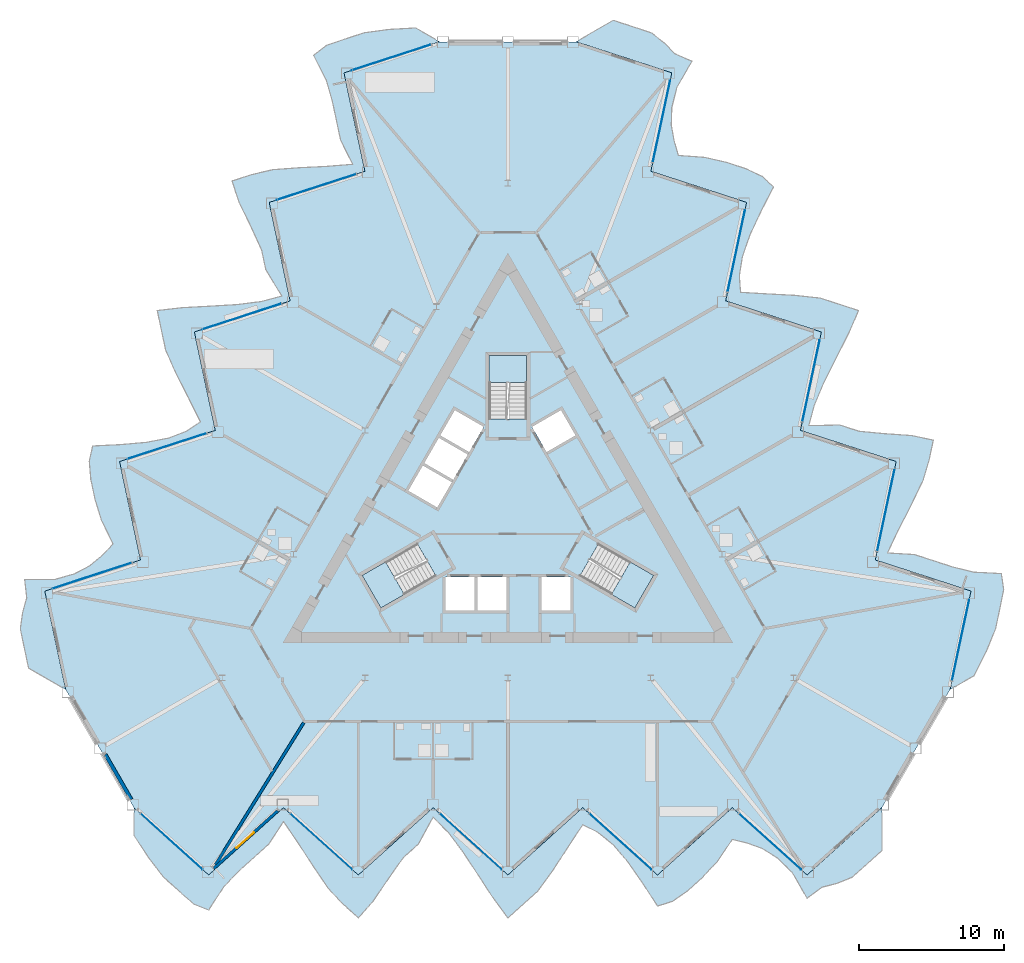
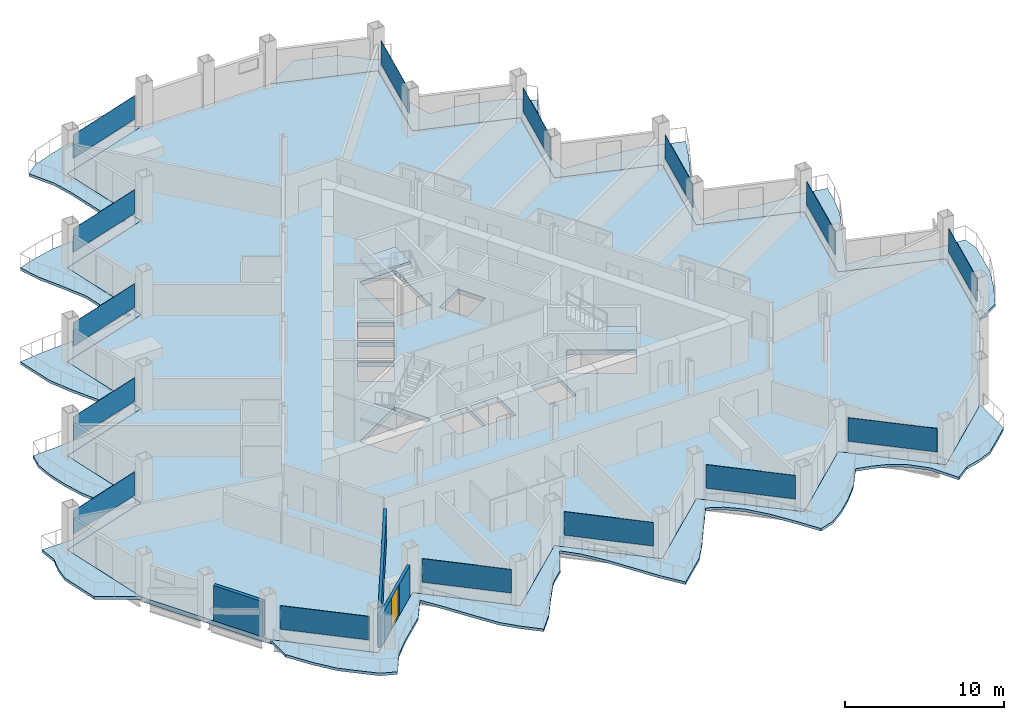
# One storey, part 10 of 24: 15 plates, 7 slabs, 3 walls, 1 door, 1 opening, 18 elements without a shape of their own.
"""IFC4 building model written with IfcOpenShell, lengths in metres."""

from ifc_helpers import new_model, si_unit, direction, frame, frame_2d, origin, origin_2d, place, context, subcontext, project, spatial, polyline, rectangle, outline, extrude, material, layer, layer_set, type_object, element, fill, aggregate, save


model = new_model("IFC4")

# Units and contexts
model_context = context("Model", 3, precision=1e-05, world=origin(), true_north=direction((0.0, 1.0)))
body_context = subcontext(model_context, "Body", "Model", "MODEL_VIEW")
ifc_project = project(units=[si_unit("LENGTHUNIT", "METRE"), si_unit("AREAUNIT", "SQUARE_METRE"), si_unit("VOLUMEUNIT", "CUBIC_METRE"), si_unit("PLANEANGLEUNIT", "RADIAN"), si_unit("MASSUNIT", "GRAM", prefix="KILO")], contexts=[model_context])

# Site, building, storey
site_placement = place(None, origin())
site = spatial("IfcSite", under=ifc_project, at=site_placement, CompositionType="ELEMENT")
building_placement = place(site_placement, origin())
building = spatial("IfcBuilding", under=site, at=building_placement, Name="Cormorant Prow Tower", CompositionType="ELEMENT")
storey_placement = place(building_placement, frame((0.0, 0.0, 201.60009765625)))
storey = spatial("IfcBuildingStorey", under=building, at=storey_placement, Name="L44", CompositionType="ELEMENT", Elevation=201.60009765625)

# Slabs
ifc_material_1 = material(Name="Concrete C40/50", Category="concrete")
ifc_layer_1 = layer(ifc_material_1, 0.199951171875)
ifc_layer_set_1 = layer_set([ifc_layer_1], Name="Concrete C40/50")
slab_type_1 = type_object("IfcSlabType", Name="Balcony slab 200", PredefinedType="FLOOR", material=ifc_layer_set_1)
slab_1_placement = place(storey_placement, frame((0.0, 0.0, -0.2001953125)))
element("IfcSlab", 1, at=slab_1_placement, inside=storey, type_object=slab_type_1, Name="Balcony slab S L44", PredefinedType="FLOOR", context=body_context, shape_type="SweptSolid", body=[
    extrude(outline(polyline([(-25.740234375, -20.280029296875), (-25.740234375, -22.179931640625), (-24.71044921875, -23.754150390625), (-23.680908203125, -25.084228515625), (-22.6513671875, -26.01123046875), (-21.621826171875, -26.916015625), (-20.592041015625, -27.326416015625), (-19.5625, -25.735107421875), (-18.532958984375, -24.6611328125), (-17.50341796875, -23.734130859375), (-16.4736328125, -22.80712890625), (-15.444091796875, -21.2470703125), (-14.41455078125, -22.73974609375), (-13.384765625, -24.338134765625), (-12.355224609375, -25.848876953125), (-11.32568359375, -26.938232421875), (-10.296142578125, -27.865234375), (-9.266357421875, -26.712158203125), (-8.23681640625, -25.179443359375), (-7.207275390625, -23.734130859375), (-6.177734375, -22.80712890625), (-5.14794921875, -20.938232421875), (-4.118408203125, -21.970947265625), (-3.0888671875, -23.331787109375), (-2.059326171875, -24.8955078125), (-1.029541015625, -26.47802734375), (0.0, -27.865234375), (1.029541015625, -26.938232421875), (2.059326171875, -26.01123046875), (3.0888671875, -24.604736328125), (4.118408203125, -23.01953125), (5.14794921875, -21.459716796875), (6.177734375, -21.9619140625), (7.207275390625, -22.794921875), (8.23681640625, -23.98583984375), (9.266357421875, -25.45849609375), (10.296142578125, -27.05517578125), (11.32568359375, -26.728515625), (12.355224609375, -26.01123046875), (13.384765625, -25.084228515625), (14.41455078125, -23.979248046875), (15.444091796875, -22.462890625), (16.4736328125, -22.71875), (17.50341796875, -23.0869140625), (18.532958984375, -23.728515625), (19.5625, -24.72607421875), (20.592041015625, -26.515380859375), (21.621826171875, -25.7568359375), (22.6513671875, -25.4921875), (23.680908203125, -25.07421875), (24.71044921875, -24.156982421875), (25.740234375, -23.22998046875), (25.740234375, -20.280029296875), (24.71044921875, -21.20703125), (23.680908203125, -22.13427734375), (22.6513671875, -23.061279296875), (21.621826171875, -23.98828125), (20.592041015625, -24.915283203125), (19.5625, -23.98828125), (18.532958984375, -23.061279296875), (17.50341796875, -22.13427734375), (16.4736328125, -21.20703125), (15.444091796875, -20.280029296875), (14.41455078125, -21.20703125), (13.384765625, -22.13427734375), (12.355224609375, -23.061279296875), (11.32568359375, -23.98828125), (10.296142578125, -24.915283203125), (9.266357421875, -23.98828125), (8.23681640625, -23.061279296875), (7.207275390625, -22.13427734375), (6.177734375, -21.20703125), (5.14794921875, -20.280029296875), (4.118408203125, -21.20703125), (3.0888671875, -22.13427734375), (2.059326171875, -23.061279296875), (1.029541015625, -23.98828125), (0.0, -24.915283203125), (-1.029541015625, -23.98828125), (-2.059326171875, -23.061279296875), (-3.0888671875, -22.13427734375), (-4.118408203125, -21.20703125), (-5.14794921875, -20.280029296875), (-6.177734375, -21.20703125), (-7.207275390625, -22.13427734375), (-8.23681640625, -23.061279296875), (-9.266357421875, -23.98828125), (-10.296142578125, -24.915283203125), (-11.32568359375, -23.98828125), (-12.355224609375, -23.061279296875), (-13.384765625, -22.13427734375), (-14.41455078125, -21.20703125), (-15.444091796875, -20.280029296875), (-16.4736328125, -21.20703125), (-17.50341796875, -22.13427734375), (-18.532958984375, -23.061279296875), (-19.5625, -23.98828125), (-20.592041015625, -24.915283203125), (-21.621826171875, -23.98828125), (-22.6513671875, -23.061279296875), (-23.680908203125, -22.13427734375), (-24.71044921875, -21.20703125), (-25.740234375, -20.280029296875)])), origin(), (0.0, 0.0, 1.0), 0.2001953125),
])
slab_2_placement = place(storey_placement, frame((0.0, 0.0, -0.2001953125)))
element("IfcSlab", 2, at=slab_2_placement, inside=storey, type_object=slab_type_1, Name="Balcony slab ENE L44", PredefinedType="FLOOR", context=body_context, shape_type="SweptSolid", body=[
    extrude(outline(polyline([(30.43310546875, -12.151611328125), (32.07861328125, -11.20166015625), (32.927001953125, -9.52294921875), (33.56396484375, -7.96630859375), (33.85205078125, -6.611083984375), (34.120849609375, -5.266845703125), (33.96142578125, -4.170166015625), (32.068603515625, -4.073974609375), (30.623779296875, -3.71923828125), (29.30615234375, -3.291259765625), (27.98828125, -2.863037109375), (26.12255859375, -2.75146484375), (26.900390625, -1.113525390625), (27.77001953125, 0.577392578125), (28.5634765625, 2.224609375), (28.9921875, 3.660888671875), (29.280029296875, 5.01611328125), (27.7666015625, 5.3310546875), (25.924560546875, 5.45654296875), (24.157958984375, 5.62548828125), (22.84033203125, 6.053466796875), (20.70703125, 6.0107421875), (21.08642578125, 7.418701171875), (21.750244140625, 8.990966796875), (22.589599609375, 10.664306640625), (23.445556640625, 12.347412109375), (24.132080078125, 13.9326171875), (22.814453125, 14.36083984375), (21.496826171875, 14.788818359375), (19.763916015625, 14.977294921875), (17.876220703125, 15.076416015625), (16.010498046875, 15.188232421875), (15.9306640625, 16.3310546875), (16.137451171875, 17.63916015625), (16.654052734375, 19.126220703125), (17.414306640625, 20.754150390625), (18.282470703125, 22.444091796875), (17.484619140625, 23.172607421875), (16.3486328125, 23.70556640625), (15.031005859375, 24.1337890625), (13.5595703125, 24.472900390625), (11.7314453125, 24.6064453125), (11.438232421875, 25.6259765625), (11.2421875, 26.70166015625), (11.283203125, 27.914306640625), (11.63232421875, 29.3046875), (12.6669921875, 31.091064453125), (11.4951171875, 31.603271484375), (10.751220703125, 32.36279296875), (9.87451171875, 33.04541015625), (8.5654296875, 33.478515625), (7.247802734375, 33.90673828125), (4.69287109375, 32.431640625), (6.010498046875, 32.00341796875), (7.328369140625, 31.575439453125), (8.64599609375, 31.147216796875), (9.963623046875, 30.718994140625), (11.28125, 30.291015625), (10.9931640625, 28.935791015625), (10.705078125, 27.58056640625), (10.4169921875, 26.225341796875), (10.129150390625, 24.8701171875), (9.841064453125, 23.514892578125), (11.15869140625, 23.0869140625), (12.476318359375, 22.65869140625), (13.7939453125, 22.23046875), (15.111572265625, 21.802490234375), (16.42919921875, 21.374267578125), (16.141357421875, 20.01904296875), (15.853271484375, 18.663818359375), (15.565185546875, 17.308837890625), (15.277099609375, 15.95361328125), (14.989013671875, 14.598388671875), (16.306640625, 14.170166015625), (17.624267578125, 13.7421875), (18.94189453125, 13.31396484375), (20.259765625, 12.8857421875), (21.577392578125, 12.457763671875), (21.289306640625, 11.1025390625), (21.001220703125, 9.747314453125), (20.713134765625, 8.39208984375), (20.425048828125, 7.036865234375), (20.136962890625, 5.681640625), (21.45458984375, 5.253662109375), (22.7724609375, 4.825439453125), (24.090087890625, 4.397216796875), (25.40771484375, 3.96923828125), (26.725341796875, 3.541015625), (26.437255859375, 2.185791015625), (26.149169921875, 0.83056640625), (25.861083984375, -0.524658203125), (25.5732421875, -1.879638671875), (25.28515625, -3.23486328125), (26.602783203125, -3.6630859375), (27.92041015625, -4.09130859375), (29.238037109375, -4.519287109375), (30.5556640625, -4.947509765625), (31.873291015625, -5.375732421875), (31.585205078125, -6.730712890625), (31.29736328125, -8.0859375), (31.00927734375, -9.441162109375), (30.72119140625, -10.79638671875), (30.43310546875, -12.151611328125)])), origin(), (0.0, 0.0, 1.0), 0.2001953125),
])
slab_3_placement = place(storey_placement, frame((0.0, 0.0, -0.2001953125)))
element("IfcSlab", 3, at=slab_3_placement, inside=storey, type_object=slab_type_1, Name="Balcony slab WNW L44", PredefinedType="FLOOR", context=body_context, shape_type="SweptSolid", body=[
    extrude(outline(polyline([(-4.69287109375, 32.431640625), (-6.33837890625, 33.381591796875), (-8.21630859375, 33.277099609375), (-9.883056640625, 33.05029296875), (-11.20068359375, 32.622314453125), (-12.4990234375, 32.18310546875), (-13.369384765625, 31.49658203125), (-12.506103515625, 29.80908203125), (-12.0908203125, 28.380615234375), (-11.802734375, 27.025390625), (-11.5146484375, 25.670166015625), (-10.678466796875, 23.99853515625), (-12.48583984375, 23.85302734375), (-14.385009765625, 23.7607421875), (-16.208251953125, 23.62451171875), (-17.66650390625, 23.27734375), (-18.984130859375, 22.849365234375), (-18.500244140625, 21.381103515625), (-17.687744140625, 19.72314453125), (-16.95068359375, 18.108642578125), (-16.66259765625, 16.75341796875), (-15.55908203125, 14.927490234375), (-16.968017578125, 14.552001953125), (-18.661376953125, 14.3408203125), (-20.530517578125, 14.23095703125), (-22.416015625, 14.130615234375), (-24.132080078125, 13.9326171875), (-23.843994140625, 12.577392578125), (-23.555908203125, 11.22216796875), (-22.8525390625, 9.627197265625), (-21.99462890625, 7.943115234375), (-21.15869140625, 6.271484375), (-22.1083984375, 5.631103515625), (-23.3447265625, 5.15576171875), (-24.890869140625, 4.859619140625), (-26.680908203125, 4.7041015625), (-28.578369140625, 4.61083984375), (-28.810302734375, 3.555908203125), (-28.7041015625, 2.3056640625), (-28.416015625, 0.950439453125), (-27.973876953125, -0.49365234375), (-27.175537109375, -2.1435546875), (-27.911865234375, -2.9072265625), (-28.74560546875, -3.61474609375), (-29.81591796875, -4.185791015625), (-31.19482421875, -4.57861328125), (-33.259033203125, -4.57568359375), (-33.116943359375, -5.846435546875), (-33.402587890625, -6.87060546875), (-33.555419921875, -7.97119140625), (-33.27587890625, -9.3212890625), (-32.98779296875, -10.676513671875), (-30.43310546875, -12.151611328125), (-30.72119140625, -10.79638671875), (-31.00927734375, -9.441162109375), (-31.29736328125, -8.0859375), (-31.585205078125, -6.730712890625), (-31.873291015625, -5.375732421875), (-30.5556640625, -4.947509765625), (-29.238037109375, -4.519287109375), (-27.92041015625, -4.09130859375), (-26.602783203125, -3.6630859375), (-25.28515625, -3.23486328125), (-25.5732421875, -1.879638671875), (-25.861083984375, -0.524658203125), (-26.149169921875, 0.83056640625), (-26.437255859375, 2.185791015625), (-26.725341796875, 3.541015625), (-25.40771484375, 3.96923828125), (-24.090087890625, 4.397216796875), (-22.7724609375, 4.825439453125), (-21.45458984375, 5.253662109375), (-20.136962890625, 5.681640625), (-20.425048828125, 7.036865234375), (-20.713134765625, 8.39208984375), (-21.001220703125, 9.747314453125), (-21.289306640625, 11.1025390625), (-21.577392578125, 12.457763671875), (-20.259765625, 12.8857421875), (-18.94189453125, 13.31396484375), (-17.624267578125, 13.7421875), (-16.306640625, 14.170166015625), (-14.989013671875, 14.598388671875), (-15.277099609375, 15.95361328125), (-15.565185546875, 17.308837890625), (-15.853271484375, 18.663818359375), (-16.141357421875, 20.01904296875), (-16.42919921875, 21.374267578125), (-15.111572265625, 21.802490234375), (-13.7939453125, 22.23046875), (-12.476318359375, 22.65869140625), (-11.15869140625, 23.0869140625), (-9.841064453125, 23.514892578125), (-10.129150390625, 24.8701171875), (-10.4169921875, 26.225341796875), (-10.705078125, 27.58056640625), (-10.9931640625, 28.935791015625), (-11.28125, 30.291015625), (-9.963623046875, 30.718994140625), (-8.64599609375, 31.147216796875), (-7.328369140625, 31.575439453125), (-6.010498046875, 32.00341796875), (-4.69287109375, 32.431640625)])), origin(), (0.0, 0.0, 1.0), 0.2001953125),
])

# Curtain wall, plate
ifc_material_2 = material(Name="Aluminium 6063-T6", Category="aluminium")
ifc_layer_2 = layer(ifc_material_2, 0.179931640625)
ifc_layer_set_2 = layer_set([ifc_layer_2], Name="Aluminium 6063-T6")
curtain_wall_type = type_object("IfcCurtainWallType", Name="Hotel unitised curtain wall 180", PredefinedType="NOTDEFINED", material=ifc_layer_set_2)
curtain_wall_1_placement = place(storey_placement, origin())
curtain_wall_1 = element("IfcCurtainWall", 4, at=curtain_wall_1_placement, inside=storey, type_object=curtain_wall_type, Name="Hotel curtain wall S00", PredefinedType="NOTDEFINED")
ifc_material_3 = material(Name="Clear glass", Category="glass")
ifc_layer_3 = layer(ifc_material_3, 0.028076171875)
ifc_layer_set_3 = layer_set([ifc_layer_3], Name="Clear glass")
plate_type = type_object("IfcPlateType", Name="Hotel glass panel 28", PredefinedType="CURTAIN_PANEL", material=ifc_layer_set_3)
plate_1_placement = place(storey_placement, frame((-23.143798828125, -22.61767578125, 0.89990234375), z_axis=(0.0, 0.0, 1.0), x_axis=(0.743144770308, -0.669130667631, 0.0)))
plate_1 = element("IfcPlate", 5, at=plate_1_placement, type_object=plate_type, Name="Hotel glass panel S00", PredefinedType="CURTAIN_PANEL", context=body_context, shape_type="SweptSolid", body=[
    extrude(rectangle(XDim=5.7314453125, YDim=0.028076171875, at=origin_2d()), origin(), (0.0, 0.0, 1.0), 1.80078125),
])
aggregate(curtain_wall_1, [plate_1])

curtain_wall_2_placement = place(storey_placement, origin())
curtain_wall_2 = element("IfcCurtainWall", 6, at=curtain_wall_2_placement, inside=storey, type_object=curtain_wall_type, Name="Hotel curtain wall S02", PredefinedType="NOTDEFINED")
plate_2_placement = place(storey_placement, frame((-12.84765625, -22.61767578125, 0.89990234375), z_axis=(0.0, 0.0, 1.0), x_axis=(0.743144770308, -0.669130667631, 0.0)))
plate_2 = element("IfcPlate", 7, at=plate_2_placement, type_object=plate_type, Name="Hotel glass panel S02", PredefinedType="CURTAIN_PANEL", context=body_context, shape_type="SweptSolid", body=[
    extrude(rectangle(XDim=5.7314453125, YDim=0.028076171875, at=origin_2d()), origin(), (0.0, 0.0, 1.0), 1.80078125),
])
aggregate(curtain_wall_2, [plate_2])

curtain_wall_3_placement = place(storey_placement, origin())
curtain_wall_3 = element("IfcCurtainWall", 8, at=curtain_wall_3_placement, inside=storey, type_object=curtain_wall_type, Name="Hotel curtain wall S04", PredefinedType="NOTDEFINED")
plate_3_placement = place(storey_placement, frame((-2.5517578125, -22.61767578125, 0.89990234375), z_axis=(0.0, 0.0, 1.0), x_axis=(0.743144770308, -0.669130667631, 0.0)))
plate_3 = element("IfcPlate", 9, at=plate_3_placement, type_object=plate_type, Name="Hotel glass panel S04", PredefinedType="CURTAIN_PANEL", context=body_context, shape_type="SweptSolid", body=[
    extrude(rectangle(XDim=5.7314453125, YDim=0.028076171875, at=origin_2d()), origin(), (0.0, 0.0, 1.0), 1.80078125),
])
aggregate(curtain_wall_3, [plate_3])

curtain_wall_4_placement = place(storey_placement, origin())
curtain_wall_4 = element("IfcCurtainWall", 10, at=curtain_wall_4_placement, inside=storey, type_object=curtain_wall_type, Name="Hotel curtain wall S06", PredefinedType="NOTDEFINED")
plate_4_placement = place(storey_placement, frame((7.744384765625, -22.61767578125, 0.89990234375), z_axis=(0.0, 0.0, 1.0), x_axis=(0.743144834937, -0.669130595853, 0.0)))
plate_4 = element("IfcPlate", 11, at=plate_4_placement, type_object=plate_type, Name="Hotel glass panel S06", PredefinedType="CURTAIN_PANEL", context=body_context, shape_type="SweptSolid", body=[
    extrude(rectangle(XDim=5.7314453125, YDim=0.028076171875, at=origin_2d()), origin(), (0.0, 0.0, 1.0), 1.80078125),
])
aggregate(curtain_wall_4, [plate_4])

curtain_wall_5_placement = place(storey_placement, origin())
curtain_wall_5 = element("IfcCurtainWall", 12, at=curtain_wall_5_placement, inside=storey, type_object=curtain_wall_type, Name="Hotel curtain wall S08", PredefinedType="NOTDEFINED")
plate_5_placement = place(storey_placement, frame((18.040283203125, -22.61767578125, 0.89990234375), z_axis=(0.0, 0.0, 1.0), x_axis=(0.743144770308, -0.669130667631, 0.0)))
plate_5 = element("IfcPlate", 13, at=plate_5_placement, type_object=plate_type, Name="Hotel glass panel S08", PredefinedType="CURTAIN_PANEL", context=body_context, shape_type="SweptSolid", body=[
    extrude(rectangle(XDim=5.7314453125, YDim=0.028076171875, at=origin_2d()), origin(), (0.0, 0.0, 1.0), 1.80078125),
])
aggregate(curtain_wall_5, [plate_5])

curtain_wall_6_placement = place(storey_placement, origin())
curtain_wall_6 = element("IfcCurtainWall", 14, at=curtain_wall_6_placement, inside=storey, type_object=curtain_wall_type, Name="Hotel curtain wall ENE00", PredefinedType="NOTDEFINED")
plate_6_placement = place(storey_placement, frame((31.159423828125, -8.734375, 0.89990234375), z_axis=(0.0, 0.0, 1.0), x_axis=(0.207911668641, 0.978147605448, 0.0)))
plate_6 = element("IfcPlate", 15, at=plate_6_placement, type_object=plate_type, Name="Hotel glass panel ENE00", PredefinedType="CURTAIN_PANEL", context=body_context, shape_type="SweptSolid", body=[
    extrude(rectangle(XDim=5.7314453125, YDim=0.028076171875, at=origin_2d()), origin(), (0.0, 0.0, 1.0), 1.80078125),
])
aggregate(curtain_wall_6, [plate_6])

curtain_wall_7_placement = place(storey_placement, origin())
curtain_wall_7 = element("IfcCurtainWall", 16, at=curtain_wall_7_placement, inside=storey, type_object=curtain_wall_type, Name="Hotel curtain wall ENE02", PredefinedType="NOTDEFINED")
plate_7_placement = place(storey_placement, frame((26.011474609375, 0.182373046875, 0.89990234375), z_axis=(0.0, 0.0, 1.0), x_axis=(0.207911668641, 0.978147605448, 0.0)))
plate_7 = element("IfcPlate", 17, at=plate_7_placement, type_object=plate_type, Name="Hotel glass panel ENE02", PredefinedType="CURTAIN_PANEL", context=body_context, shape_type="SweptSolid", body=[
    extrude(rectangle(XDim=5.7314453125, YDim=0.028076171875, at=origin_2d()), origin(), (0.0, 0.0, 1.0), 1.80078125),
])
aggregate(curtain_wall_7, [plate_7])

curtain_wall_8_placement = place(storey_placement, origin())
curtain_wall_8 = element("IfcCurtainWall", 18, at=curtain_wall_8_placement, inside=storey, type_object=curtain_wall_type, Name="Hotel curtain wall ENE04", PredefinedType="NOTDEFINED")
plate_8_placement = place(storey_placement, frame((20.863525390625, 9.09912109375, 0.89990234375), z_axis=(0.0, 0.0, 1.0), x_axis=(0.20791180677, 0.978147576087, 0.0)))
plate_8 = element("IfcPlate", 19, at=plate_8_placement, type_object=plate_type, Name="Hotel glass panel ENE04", PredefinedType="CURTAIN_PANEL", context=body_context, shape_type="SweptSolid", body=[
    extrude(rectangle(XDim=5.7314453125, YDim=0.028076171875, at=origin_2d()), origin(), (0.0, 0.0, 1.0), 1.80078125),
])
aggregate(curtain_wall_8, [plate_8])

curtain_wall_9_placement = place(storey_placement, origin())
curtain_wall_9 = element("IfcCurtainWall", 20, at=curtain_wall_9_placement, inside=storey, type_object=curtain_wall_type, Name="Hotel curtain wall ENE06", PredefinedType="NOTDEFINED")
plate_9_placement = place(storey_placement, frame((15.71533203125, 18.015625, 0.89990234375), z_axis=(0.0, 0.0, 1.0), x_axis=(0.207911668641, 0.978147605448, 0.0)))
plate_9 = element("IfcPlate", 21, at=plate_9_placement, type_object=plate_type, Name="Hotel glass panel ENE06", PredefinedType="CURTAIN_PANEL", context=body_context, shape_type="SweptSolid", body=[
    extrude(rectangle(XDim=5.7314453125, YDim=0.028076171875, at=origin_2d()), origin(), (0.0, 0.0, 1.0), 1.80078125),
])
aggregate(curtain_wall_9, [plate_9])

curtain_wall_10_placement = place(storey_placement, origin())
curtain_wall_10 = element("IfcCurtainWall", 22, at=curtain_wall_10_placement, inside=storey, type_object=curtain_wall_type, Name="Hotel curtain wall ENE08", PredefinedType="NOTDEFINED")
plate_10_placement = place(storey_placement, frame((10.5673828125, 26.932373046875, 0.89990234375), z_axis=(0.0, 0.0, 1.0), x_axis=(0.207911668641, 0.978147605448, 0.0)))
plate_10 = element("IfcPlate", 23, at=plate_10_placement, type_object=plate_type, Name="Hotel glass panel ENE08", PredefinedType="CURTAIN_PANEL", context=body_context, shape_type="SweptSolid", body=[
    extrude(rectangle(XDim=5.7314453125, YDim=0.028076171875, at=origin_2d()), origin(), (0.0, 0.0, 1.0), 1.80078125),
])
aggregate(curtain_wall_10, [plate_10])

curtain_wall_11_placement = place(storey_placement, origin())
curtain_wall_11 = element("IfcCurtainWall", 24, at=curtain_wall_11_placement, inside=storey, type_object=curtain_wall_type, Name="Hotel curtain wall WNW00", PredefinedType="NOTDEFINED")
plate_11_placement = place(storey_placement, frame((-8.015625, 31.35205078125, 0.89990234375), z_axis=(0.0, 0.0, 1.0), x_axis=(-0.95105649017, -0.309017074781, 0.0)))
plate_11 = element("IfcPlate", 25, at=plate_11_placement, type_object=plate_type, Name="Hotel glass panel WNW00", PredefinedType="CURTAIN_PANEL", context=body_context, shape_type="SweptSolid", body=[
    extrude(rectangle(XDim=5.7314453125, YDim=0.028076171875, at=origin_2d()), origin(), (0.0, 0.0, 1.0), 1.80078125),
])
aggregate(curtain_wall_11, [plate_11])

curtain_wall_12_placement = place(storey_placement, origin())
curtain_wall_12 = element("IfcCurtainWall", 26, at=curtain_wall_12_placement, inside=storey, type_object=curtain_wall_type, Name="Hotel curtain wall WNW02", PredefinedType="NOTDEFINED")
plate_12_placement = place(storey_placement, frame((-13.16357421875, 22.435302734375, 0.89990234375), z_axis=(0.0, 0.0, 1.0), x_axis=(-0.95105649017, -0.309017074781, 0.0)))
plate_12 = element("IfcPlate", 27, at=plate_12_placement, type_object=plate_type, Name="Hotel glass panel WNW02", PredefinedType="CURTAIN_PANEL", context=body_context, shape_type="SweptSolid", body=[
    extrude(rectangle(XDim=5.7314453125, YDim=0.028076171875, at=origin_2d()), origin(), (0.0, 0.0, 1.0), 1.80078125),
])
aggregate(curtain_wall_12, [plate_12])

curtain_wall_13_placement = place(storey_placement, origin())
curtain_wall_13 = element("IfcCurtainWall", 28, at=curtain_wall_13_placement, inside=storey, type_object=curtain_wall_type, Name="Hotel curtain wall WNW04", PredefinedType="NOTDEFINED")
plate_13_placement = place(storey_placement, frame((-18.311767578125, 13.518798828125, 0.89990234375), z_axis=(0.0, 0.0, 1.0), x_axis=(-0.951056546379, -0.309016901785, 0.0)))
plate_13 = element("IfcPlate", 29, at=plate_13_placement, type_object=plate_type, Name="Hotel glass panel WNW04", PredefinedType="CURTAIN_PANEL", context=body_context, shape_type="SweptSolid", body=[
    extrude(rectangle(XDim=5.7314453125, YDim=0.028076171875, at=origin_2d()), origin(), (0.0, 0.0, 1.0), 1.80078125),
])
aggregate(curtain_wall_13, [plate_13])

curtain_wall_14_placement = place(storey_placement, origin())
curtain_wall_14 = element("IfcCurtainWall", 30, at=curtain_wall_14_placement, inside=storey, type_object=curtain_wall_type, Name="Hotel curtain wall WNW06", PredefinedType="NOTDEFINED")
plate_14_placement = place(storey_placement, frame((-23.459716796875, 4.60205078125, 0.89990234375), z_axis=(0.0, 0.0, 1.0), x_axis=(-0.951056503955, -0.309017032354, 0.0)))
plate_14 = element("IfcPlate", 31, at=plate_14_placement, type_object=plate_type, Name="Hotel glass panel WNW06", PredefinedType="CURTAIN_PANEL", context=body_context, shape_type="SweptSolid", body=[
    extrude(rectangle(XDim=5.7314453125, YDim=0.028076171875, at=origin_2d()), origin(), (0.0, 0.0, 1.0), 1.80078125),
])
aggregate(curtain_wall_14, [plate_14])

curtain_wall_15_placement = place(storey_placement, origin())
curtain_wall_15 = element("IfcCurtainWall", 32, at=curtain_wall_15_placement, inside=storey, type_object=curtain_wall_type, Name="Hotel curtain wall WNW08", PredefinedType="NOTDEFINED")
plate_15_placement = place(storey_placement, frame((-28.607666015625, -4.314453125, 0.89990234375), z_axis=(0.0, 0.0, 1.0), x_axis=(-0.951056532594, -0.309016944213, 0.0)))
plate_15 = element("IfcPlate", 33, at=plate_15_placement, type_object=plate_type, Name="Hotel glass panel WNW08", PredefinedType="CURTAIN_PANEL", context=body_context, shape_type="SweptSolid", body=[
    extrude(rectangle(XDim=5.7314453125, YDim=0.028076171875, at=origin_2d()), origin(), (0.0, 0.0, 1.0), 1.80078125),
])
aggregate(curtain_wall_15, [plate_15])

# Slab
ifc_material_4 = material(Name="Concrete C40/50", Category="concrete")
ifc_layer_4 = layer(ifc_material_4, 0.35009765625)
ifc_layer_set_4 = layer_set([ifc_layer_4], Name="Concrete C40/50")
slab_type_2 = type_object("IfcSlabType", Name="Post-tensioned flat slab 350", PredefinedType="FLOOR", material=ifc_layer_set_4)
slab_4_placement = place(storey_placement, frame((0.0, 0.0, -0.35009765625)))
element("IfcSlab", 34, at=slab_4_placement, inside=storey, type_object=slab_type_2, Name="Floor slab L44", PredefinedType="FLOOR", context=body_context, shape_type="SweptSolid", body=[
    extrude(outline(polyline([(-9.841064453125, 23.514892578125), (-16.42919921875, 21.374267578125), (-14.989013671875, 14.598388671875), (-21.577392578125, 12.457763671875), (-20.136962890625, 5.681640625), (-26.725341796875, 3.541015625), (-25.28515625, -3.23486328125), (-31.873291015625, -5.375732421875), (-30.43310546875, -12.151611328125), (-28.086669921875, -16.2158203125), (-25.740234375, -20.280029296875), (-20.592041015625, -24.915283203125), (-15.444091796875, -20.280029296875), (-10.296142578125, -24.915283203125), (-5.14794921875, -20.280029296875), (0.0, -24.915283203125), (5.14794921875, -20.280029296875), (10.296142578125, -24.915283203125), (15.444091796875, -20.280029296875), (20.592041015625, -24.915283203125), (25.740234375, -20.280029296875), (28.086669921875, -16.2158203125), (30.43310546875, -12.151611328125), (31.873291015625, -5.375732421875), (25.28515625, -3.23486328125), (26.725341796875, 3.541015625), (20.136962890625, 5.681640625), (21.577392578125, 12.457763671875), (14.989013671875, 14.598388671875), (16.42919921875, 21.374267578125), (9.841064453125, 23.514892578125), (11.28125, 30.291015625), (4.69287109375, 32.431640625), (0.0, 32.431640625), (-4.69287109375, 32.431640625), (-11.28125, 30.291015625), (-9.841064453125, 23.514892578125)]), holes=[polyline([(-4.300048828125, -4.39990234375), (-2.300048828125, -4.39990234375), (-2.300048828125, -6.699951171875), (-4.300048828125, -6.699951171875), (-4.300048828125, -4.39990234375)]), polyline([(-0.10009765625, -4.39990234375), (-0.10009765625, -6.699951171875), (-2.10009765625, -6.699951171875), (-2.10009765625, -4.39990234375), (-0.10009765625, -4.39990234375)]), polyline([(4.300048828125, -6.699951171875), (2.300048828125, -6.699951171875), (2.300048828125, -4.39990234375), (4.300048828125, -4.39990234375), (4.300048828125, -6.699951171875)]), polyline([(4.65234375, 5.341796875), (2.660400390625, 4.19189453125), (1.660400390625, 5.923828125), (3.65234375, 7.073974609375), (4.65234375, 5.341796875)]), polyline([(-1.660400390625, 5.923828125), (-2.660400390625, 4.19189453125), (-4.65234375, 5.341796875), (-3.65234375, 7.073974609375), (-1.660400390625, 5.923828125)]), polyline([(-3.760498046875, 2.28662109375), (-5.75244140625, 3.4365234375), (-4.75244140625, 5.168701171875), (-2.760498046875, 4.018798828125), (-3.760498046875, 2.28662109375)]), polyline([(-6.852294921875, 1.53125), (-5.852294921875, 3.263427734375), (-3.860595703125, 2.11328125), (-4.860595703125, 0.38134765625), (-6.852294921875, 1.53125)]), polyline([(-4.947509765625, -4.3505859375), (-8.738037109375, -6.5390625), (-10.031982421875, -4.2978515625), (-6.241455078125, -2.109375), (-4.947509765625, -4.3505859375)]), polyline([(10.031982421875, -4.2978515625), (8.738037109375, -6.5390625), (4.947509765625, -4.3505859375), (6.241455078125, -2.109375), (10.031982421875, -4.2978515625)]), polyline([(1.2939453125, 10.8369140625), (1.2939453125, 6.459716796875), (-1.2939453125, 6.459716796875), (-1.2939453125, 10.8369140625), (1.2939453125, 10.8369140625)])]), origin(), (0.0, 0.0, 1.0), 0.35009765625),
])

# Stair, slab
ifc_material_5 = material(Name="Exit stair 20 risers")
stair_type = type_object("IfcStairType", Name="Exit stair 20 risers", PredefinedType="HALF_TURN_STAIR", material=ifc_material_5)
stair_1_placement = place(storey_placement, origin())
stair_1 = element("IfcStair", 35, at=stair_1_placement, inside=storey, type_object=stair_type, Name="L44 Exit stair ST1", PredefinedType="HALF_TURN_STAIR")
ifc_material_6 = material(Name="Concrete 5000 psi", Category="concrete")
ifc_layer_5 = layer(ifc_material_6, 0.199951171875)
ifc_layer_set_5 = layer_set([ifc_layer_5], Name="Concrete 5000 psi")
slab_type_3 = type_object("IfcSlabType", Name="Stair landing 200", PredefinedType="LANDING", material=ifc_layer_set_5)
slab_5_placement = place(storey_placement, frame((0.0, 0.0, 1.599853515625)))
slab_5 = element("IfcSlab", 36, at=slab_5_placement, type_object=slab_type_3, Name="ST1 landing 1", PredefinedType="LANDING", context=body_context, shape_type="SweptSolid", body=[
    extrude(outline(polyline([(-8.416748046875, -3.365234375), (-10.031982421875, -4.2978515625), (-8.738037109375, -6.5390625), (-7.122802734375, -5.6064453125), (-8.416748046875, -3.365234375)])), origin(), (0.0, 0.0, 1.0), 0.199951171875),
])
aggregate(stair_1, [slab_5])

stair_2_placement = place(storey_placement, origin())
stair_2 = element("IfcStair", 37, at=stair_2_placement, inside=storey, type_object=stair_type, Name="L44 Exit stair ST2", PredefinedType="HALF_TURN_STAIR")
slab_6_placement = place(storey_placement, frame((0.0, 0.0, 1.599853515625)))
slab_6 = element("IfcSlab", 38, at=slab_6_placement, type_object=slab_type_3, Name="ST2 landing 1", PredefinedType="LANDING", context=body_context, shape_type="SweptSolid", body=[
    extrude(outline(polyline([(7.122802734375, -5.6064453125), (8.738037109375, -6.5390625), (10.031982421875, -4.2978515625), (8.416748046875, -3.365234375), (7.122802734375, -5.6064453125)])), origin(), (0.0, 0.0, 1.0), 0.199951171875),
])
aggregate(stair_2, [slab_6])

stair_3_placement = place(storey_placement, origin())
stair_3 = element("IfcStair", 39, at=stair_3_placement, inside=storey, type_object=stair_type, Name="L44 Exit stair ST3", PredefinedType="HALF_TURN_STAIR")
slab_7_placement = place(storey_placement, frame((0.0, 0.0, 1.599853515625)))
slab_7 = element("IfcSlab", 40, at=slab_7_placement, type_object=slab_type_3, Name="ST3 landing 1", PredefinedType="LANDING", context=body_context, shape_type="SweptSolid", body=[
    extrude(outline(polyline([(1.2939453125, 8.971923828125), (1.2939453125, 10.8369140625), (-1.2939453125, 10.8369140625), (-1.2939453125, 8.971923828125), (1.2939453125, 8.971923828125)])), origin(), (0.0, 0.0, 1.0), 0.199951171875),
])
aggregate(stair_3, [slab_7])

# Walls
ifc_material_7 = material(Name="Gypsum board demising wall")
ifc_layer_6 = layer(ifc_material_7, 0.199951171875)
ifc_layer_set_6 = layer_set([ifc_layer_6], Name="Gypsum board demising wall")
wall_type_1 = type_object("IfcWallType", Name="Demising wall 200", PredefinedType="PARTITIONING", material=ifc_layer_set_6)
wall_1_placement = place(storey_placement, frame((-20.116943359375, -24.200439453125, 0.0), z_axis=(0.0, 0.0, 1.0), x_axis=(0.527576403825, 0.849507585679, 0.0)))
element("IfcWall", 41, at=wall_1_placement, inside=storey, type_object=wall_type_1, Name="Demising wall", PredefinedType="PARTITIONING", context=body_context, shape_type="SweptSolid", body=[
    extrude(rectangle(XDim=11.496826171875, YDim=0.199951171875, at=frame_2d((5.74853515625, 0.0))), origin(), (0.0, 0.0, 1.0), 2.404052734375),
])
ifc_material_8 = material(Name="Terracotta", Category="masonry")
ifc_layer_7 = layer(ifc_material_8, 0.25)
ifc_layer_set_7 = layer_set([ifc_layer_7], Name="Terracotta")
wall_type_2 = type_object("IfcWallType", Name="Terracotta bay wall 250", PredefinedType="SOLIDWALL", material=ifc_layer_set_7)
wall_2_placement = place(storey_placement, frame((-27.706298828125, -16.624755859375, 0.0), z_axis=(0.0, 0.0, 1.0), x_axis=(0.500054932303, -0.865993686281, 0.0)))
element("IfcWall", 42, at=wall_2_placement, inside=storey, type_object=wall_type_2, Name="Terracotta bay wall WSW01", PredefinedType="SOLIDWALL", context=body_context, shape_type="SweptSolid", body=[
    extrude(rectangle(XDim=3.58056640625, YDim=0.25, at=frame_2d((1.790283203125, 0.0))), origin(), (0.0, 0.0, 1.0), 2.70068359375),
])

# Wall, opening, door
ifc_material_9 = material(Name="Terracotta", Category="masonry")
ifc_layer_8 = layer(ifc_material_9, 0.199951171875)
ifc_layer_set_8 = layer_set([ifc_layer_8], Name="Terracotta")
wall_type_3 = type_object("IfcWallType", Name="Terracotta jamb wall 200", PredefinedType="SOLIDWALL", material=ifc_layer_set_8)
wall_3_placement = place(storey_placement, frame((-20.23681640625, -24.4609375, 0.0), z_axis=(0.0, 0.0, 1.0), x_axis=(0.743136116571, 0.669140278452, 0.0)))
wall_3 = element("IfcWall", 43, at=wall_3_placement, inside=storey, type_object=wall_type_3, Name="Terracotta jamb wall S01", PredefinedType="SOLIDWALL", context=body_context, shape_type="SweptSolid", body=[
    extrude(rectangle(XDim=5.915771484375, YDim=0.199951171875, at=frame_2d((2.9580078125, 0.0))), origin(), (0.0, 0.0, 1.0), 2.404052734375),
])
opening_placement = place(wall_3_placement, frame((2.095703125, 0.0, 0.0)))
opening = element("IfcOpeningElement", 44, at=opening_placement, cuts=wall_3, Name="Opening ED44.01", PredefinedType="OPENING", context=body_context, shape_type="SweptSolid", body=[
    extrude(rectangle(XDim=1.60009765625, YDim=2.39990234375, at=frame_2d((0.800048828125, 1.199951171875))), frame((0.0, 0.10986328125, 0.0), z_axis=(0.0, -1.0, 0.0), x_axis=(1.0, 0.0, 0.0)), (0.0, 0.0, 1.0), 0.219970703125),
])
ifc_material_10 = material(Name="Aluminium 6063-T6", Category="aluminium")
door_type = type_object("IfcDoorType", Name="Balcony door 1600x2400", OperationType="DOUBLE_DOOR_SINGLE_SWING", PredefinedType="DOOR", material=ifc_material_10)
door_placement = place(opening_placement, origin())
door = element("IfcDoor", 45, at=door_placement, inside=storey, type_object=door_type, Name="Balcony door S01 ED44.01", OperationType="DOUBLE_DOOR_SINGLE_SWING", OverallHeight=2.39990234375, OverallWidth=1.60009765625, PredefinedType="DOOR", context=body_context, shape_type="SweptSolid", body=[
    extrude(rectangle(XDim=1.60009765625, YDim=2.39990234375, at=frame_2d((0.800048828125, 1.199951171875))), frame((0.0, 0.02490234375, 0.0), z_axis=(0.0, -1.0, 0.0), x_axis=(1.0, 0.0, 0.0)), (0.0, 0.0, 1.0), 0.050048828125),
])
fill(opening, door)

save(model, "model.ifc")
